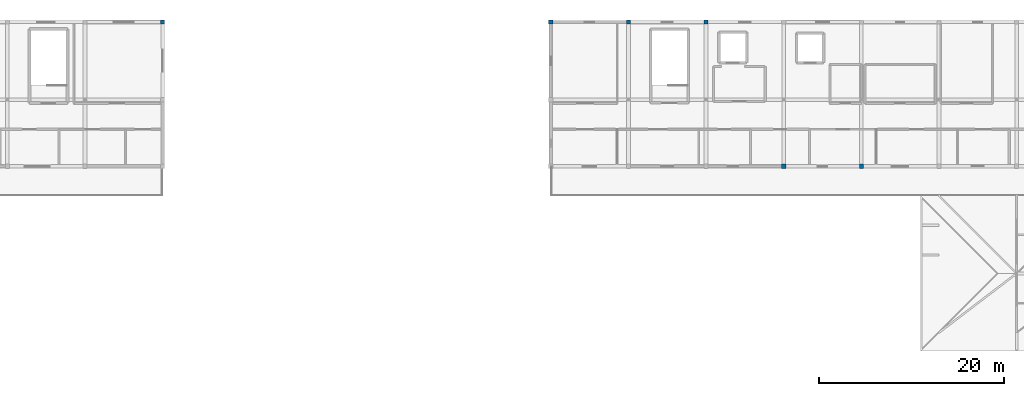
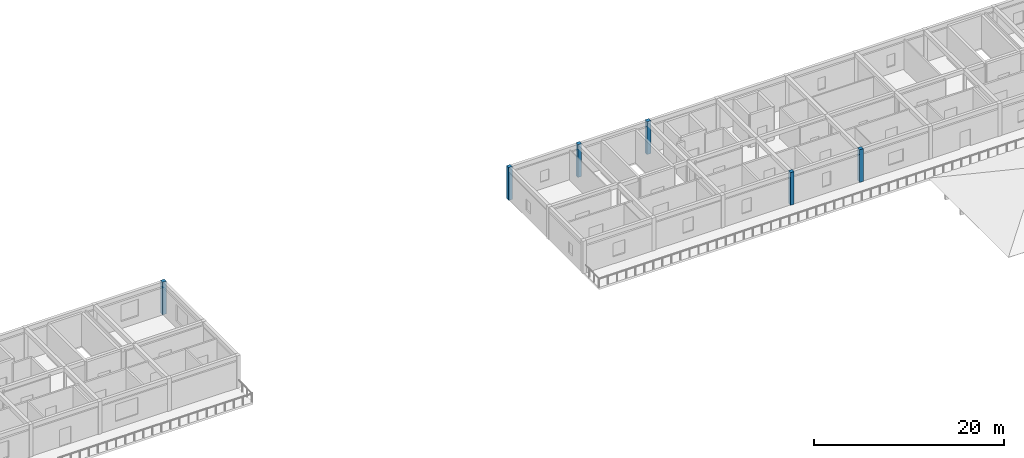
# One storey, part 5 of 22: 6 columns.
"""IFC4 building model written with IfcOpenShell, lengths in metres."""

from ifc_helpers import new_model, si_unit, direction, frame, origin, origin_2d, place, context, subcontext, project, spatial, rectangle, extrude, material, material_profile, profile_set, type_object, element, save


model = new_model("IFC4")

# Units and contexts
model_context = context("Model", 3, precision=1e-05, world=origin(), true_north=direction((0.0, 1.0)))
body_context = subcontext(model_context, "Body", "Model", "MODEL_VIEW")
ifc_project = project(units=[si_unit("LENGTHUNIT", "METRE"), si_unit("AREAUNIT", "SQUARE_METRE"), si_unit("VOLUMEUNIT", "CUBIC_METRE"), si_unit("PLANEANGLEUNIT", "RADIAN"), si_unit("MASSUNIT", "GRAM", prefix="KILO")], contexts=[model_context])

# Site, building, storey
site_placement = place(None, origin())
site = spatial("IfcSite", under=ifc_project, at=site_placement, CompositionType="ELEMENT")
building_placement = place(site_placement, origin())
building = spatial("IfcBuilding", under=site, at=building_placement, Name="Varncliffe General Hospital", CompositionType="ELEMENT")
storey_placement = place(building_placement, frame((0.0, 0.0, 33.0)))
storey = spatial("IfcBuildingStorey", under=building, at=storey_placement, Name="L07", CompositionType="ELEMENT", Elevation=33.0)

# Columns
ifc_material = material(Name="Concrete C40/50 (CSA A23.1 40 MPa)", Category="concrete")
ifc_material_profile = material_profile(ifc_material, rectangle(XDim=0.449951171875, YDim=0.449951171875, at=origin_2d()), Name="RC 450x450")
ifc_profile_set = profile_set([ifc_material_profile], Name="Concrete C40/50 (CSA A23.1 40 MPa)")
column_type = type_object("IfcColumnType", Name="Column C73 (Ext RC 450x450)", PredefinedType="COLUMN", material=ifc_profile_set)
for number, where, z_axis, x_axis, name in (
    (1, (67.199951171875, 124.800048828125, 0.0), (0.0, 0.0, 1.0), (1.0, 0.0, 0.0), "L07 Column C73"),
    (2, (109.199951171875, 124.800048828125, 0.0), (0.0, 0.0, 1.0), (1.0, 0.0, 0.0), "L07 Column C73"),
    (3, (117.60009765625, 124.800048828125, 0.0), (0.0, 0.0, 1.0), (1.0, 0.0, 0.0), "L07 Column C73"),
    (4, (126.0, 124.800048828125, 0.0), (0.0, 0.0, 1.0), (1.0, 0.0, 0.0), "L07 Column C73"),
    (5, (134.39990234375, 109.199951171875, 0.0), (0.0, 0.0, 1.0), (1.0, 0.0, 0.0), "L07 Column C73"),
    (6, (142.800048828125, 109.199951171875, 0.0), (0.0, 0.0, 1.0), (1.0, 0.0, 0.0), "L07 Column C73"),
):
    element("IfcColumn", number, at=place(storey_placement, frame(where, z_axis=z_axis, x_axis=x_axis)), inside=storey, type_object=column_type, Name=name, PredefinedType="COLUMN", context=body_context, shape_type="SweptSolid", body=[
        extrude(rectangle(XDim=0.449951171875, YDim=0.449951171875, at=origin_2d()), origin(), (0.0, 0.0, 1.0), 4.199951171875),
    ])

save(model, "model.ifc")
